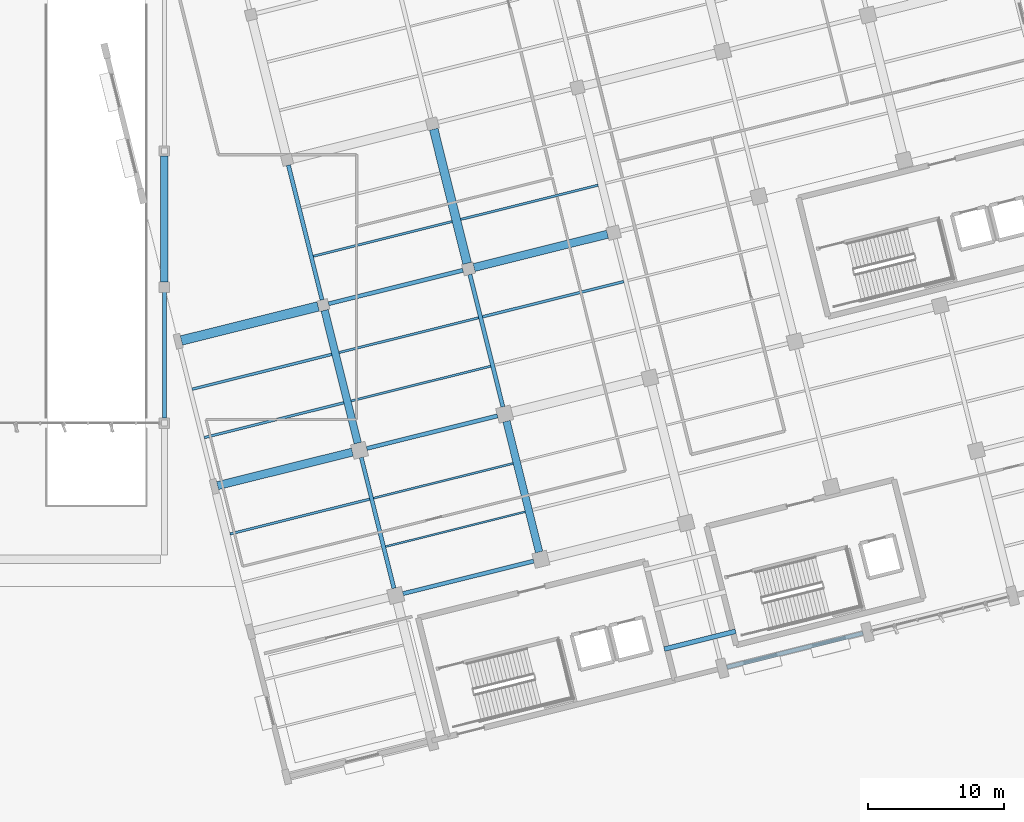
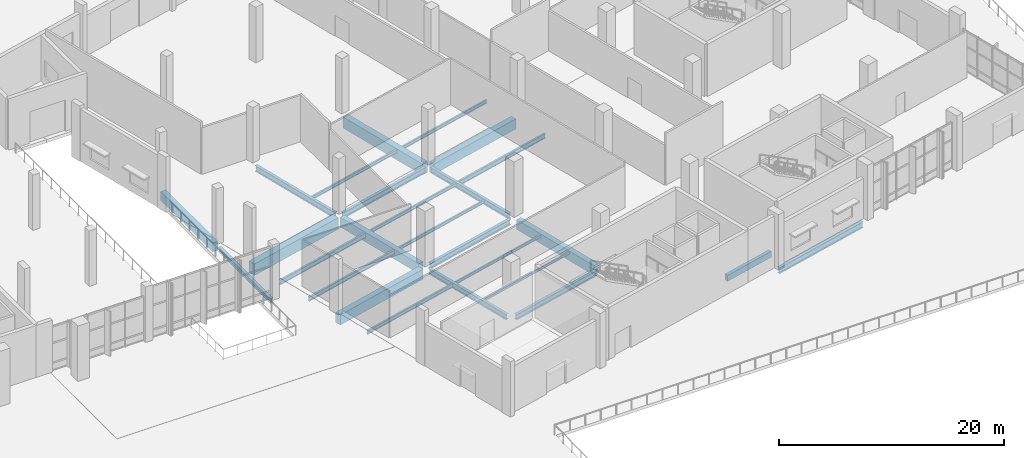
# One storey, part 84 of 163: 26 beams.
"""IFC4 building model written with IfcOpenShell, lengths in metres."""

import ifcopenshell
import ifcopenshell.guid

model = None  # the IFC model being written
_history = None  # IfcOwnerHistory: only IFC2X3 demands one
_inside = {}  # id of a spatial element -> (the spatial element, [elements in it])
_under = {}  # id of a project, library or spatial element -> (it, [spatial elements below it])
_declared = {}  # id of a project -> (the project, [libraries it declares])
_typed = {}  # id of a type object -> (the type object, [elements of that type])
_made_of = {}  # id of a material, layer set ... -> (it, [elements and type objects made of it])


def new_model(schema):
    """Start an empty IFC model of exactly this schema.

    Asked for "IFC4X3", IfcOpenShell would pick the latest addendum, in which some entities
    have other attributes; the version numbers below select the first issue.
    IFC2X3 requires an IfcOwnerHistory on every rooted entity: one is made here for all.
    """
    global model, _history
    if schema == "IFC4X3":
        model = ifcopenshell.file(schema_version=(4, 3, 0, 0))
    else:
        model = ifcopenshell.file(schema=schema)
    _inside.clear()
    _under.clear()
    _declared.clear()
    _typed.clear()
    _made_of.clear()
    _history = None
    if model.schema == "IFC2X3":
        org = make("IfcOrganization", Name="unknown")
        user = make(
            "IfcPersonAndOrganization",
            ThePerson=make("IfcPerson", FamilyName="unknown"),
            TheOrganization=org,
        )
        app = make(
            "IfcApplication",
            ApplicationDeveloper=org,
            Version="unknown",
            ApplicationFullName="unknown",
            ApplicationIdentifier="unknown",
        )
        _history = make(
            "IfcOwnerHistory",
            OwningUser=user,
            OwningApplication=app,
            ChangeAction="ADDED",
            CreationDate=0,
        )
    return model


def make(cls, **values):
    """One entity of the class cls with the attributes given. An attribute that is None is left unset."""
    return model.create_entity(
        cls, **{name: value for name, value in values.items() if value is not None}
    )


def rooted(cls, **values):
    """An entity with a GlobalId (a new one), such as an element, a storey or a relation."""
    return make(cls, GlobalId=ifcopenshell.guid.new(), OwnerHistory=_history, **values)


def si_unit(unit_type, name, prefix=None):
    """IfcSIUnit, for example si_unit("LENGTHUNIT", "METRE", prefix="MILLI")."""
    return make("IfcSIUnit", UnitType=unit_type, Prefix=prefix, Name=name)


def assignment(units):
    """IfcUnitAssignment: the units of a project."""
    return None if units is None else make("IfcUnitAssignment", Units=units)


def point(xyz):
    """IfcCartesianPoint."""
    return None if xyz is None else make("IfcCartesianPoint", Coordinates=xyz)


def direction(xyz):
    """IfcDirection."""
    return None if xyz is None else make("IfcDirection", DirectionRatios=xyz)


def frame(location, z_axis=None, x_axis=None):
    """IfcAxis2Placement3D, a coordinate frame: its origin and axes. An axis left out is left unset."""
    return make(
        "IfcAxis2Placement3D",
        Location=point(location),
        Axis=direction(z_axis),
        RefDirection=direction(x_axis),
    )


def frame_2d(location, x_axis=None):
    """IfcAxis2Placement2D, a coordinate frame in the plane: its origin and x axis."""
    return make(
        "IfcAxis2Placement2D", Location=point(location), RefDirection=direction(x_axis)
    )


def origin():
    """The frame at (0, 0, 0) with its axes left unset."""
    return frame((0.0, 0.0, 0.0))


def origin_2d():
    """The frame at (0, 0) in the plane with its x axis left unset."""
    return frame_2d((0.0, 0.0))


def place(relative_to, where):
    """IfcLocalPlacement: puts the frame where relative to a parent placement (None: the world)."""
    return make(
        "IfcLocalPlacement", PlacementRelTo=relative_to, RelativePlacement=where
    )


def context(
    kind, dimensions, precision=None, world=None, true_north=None, identifier=None
):
    """IfcGeometricRepresentationContext, for example the 3D "Model" context."""
    return make(
        "IfcGeometricRepresentationContext",
        ContextIdentifier=identifier,
        ContextType=kind,
        CoordinateSpaceDimension=dimensions,
        Precision=precision,
        WorldCoordinateSystem=world,
        TrueNorth=true_north,
    )


def subcontext(parent, identifier, kind, view, scale=None):
    """IfcGeometricRepresentationSubContext, for example "Body" below "Model"."""
    return make(
        "IfcGeometricRepresentationSubContext",
        ContextIdentifier=identifier,
        ContextType=kind,
        ParentContext=parent,
        TargetScale=scale,
        TargetView=view,
    )


def project(units=None, contexts=None):
    """IfcProject with its units and contexts."""
    return rooted(
        "IfcProject",
        Name="project",
        RepresentationContexts=contexts,
        UnitsInContext=assignment(units),
    )


def spatial(cls, under=None, at=None, **own):
    """A site, building, storey or space (cls), placed at a placement, below another one or the project."""
    s = rooted(cls, ObjectPlacement=at, **own)
    if under is not None:
        _under.setdefault(under.id(), (under, []))[1].append(s)
    return s


def profile(cls, at=None, kind="AREA", **sizes):
    """A parametric profile (cls). Its sizes go by their IFC names, for example OverallWidth=200.0."""
    return make(cls, ProfileType=kind, Position=at, **sizes)


def rectangle(**sizes):
    """IfcRectangleProfileDef."""
    return profile("IfcRectangleProfileDef", **sizes)


def i_section(**sizes):
    """IfcIShapeProfileDef."""
    return profile("IfcIShapeProfileDef", **sizes)


def extrude(swept, where, along, depth):
    """IfcExtrudedAreaSolid: the profile swept, set in the frame where, extruded along a direction by depth."""
    return make(
        "IfcExtrudedAreaSolid",
        SweptArea=swept,
        Position=where,
        ExtrudedDirection=direction(along),
        Depth=depth,
    )


def shape(context_of_items, identifier, shape_type, items):
    """IfcShapeRepresentation: the items that make up one representation, for example the "Body"."""
    return make(
        "IfcShapeRepresentation",
        ContextOfItems=context_of_items,
        RepresentationIdentifier=identifier,
        RepresentationType=shape_type,
        Items=items,
    )


def material(Name=None, Category=None):
    """IfcMaterial."""
    return make("IfcMaterial", Name=Name, Category=Category)


def material_profile(
    of_material, cross_section, Name=None, Category=None, Priority=None
):
    """IfcMaterialProfile: a cross section and its material."""
    return make(
        "IfcMaterialProfile",
        Name=Name,
        Material=of_material,
        Profile=cross_section,
        Priority=Priority,
        Category=Category,
    )


def profile_set(profiles, Name=None, composite=None):
    """IfcMaterialProfileSet."""
    return make(
        "IfcMaterialProfileSet",
        Name=Name,
        MaterialProfiles=profiles,
        CompositeProfile=composite,
    )


def made_of(thing, what):
    """Note that an element or type object is made of a material, layer set ...; save() writes the relation."""
    if what is not None:
        _made_of.setdefault(what.id(), (what, []))[1].append(thing)
    return thing


def type_object(cls, material=None, **own):
    """A type object (cls), such as IfcWallType, which elements share."""
    return made_of(rooted(cls, **own), material)


def element(
    cls,
    number,
    at=None,
    inside=None,
    cuts=None,
    type_object=None,
    material=None,
    context=None,
    identifier="Body",
    shape_type=None,
    held_by="IfcProductDefinitionShape",
    body=None,
    shapes=None,
    **own,
):
    """One element of the class cls, such as IfcWall. Its Tag is "e" and its number.

    at: its placement. inside: the storey or other place that contains it. cuts: it is an
    opening in that element (IfcRelVoidsElement). A single representation is given by context,
    identifier, shape_type and body (its items); several are given by shapes. held_by: the class
    of the entity that holds the representations. save() writes the other relations.
    """
    e = rooted(cls, Tag="e%d" % number, ObjectPlacement=at, **own)
    if body is not None:
        shapes = [shape(context, identifier, shape_type, body)]
    if shapes is not None:
        e.Representation = make(held_by, Representations=shapes)
    if inside is not None:
        _inside.setdefault(inside.id(), (inside, []))[1].append(e)
    if cuts is not None:
        rooted(
            "IfcRelVoidsElement", RelatingBuildingElement=cuts, RelatedOpeningElement=e
        )
    if type_object is not None:
        _typed.setdefault(type_object.id(), (type_object, []))[1].append(e)
    return made_of(e, material)


def aggregate(whole, parts):
    """IfcRelAggregates: a whole, such as a stair, and the parts it consists of."""
    return rooted("IfcRelAggregates", RelatingObject=whole, RelatedObjects=parts)


def save(model, path):
    """Write the relations noted so far, then the file.

    IfcRelAggregates (storeys below a building ...), IfcRelContainedInSpatialStructure (elements
    in a storey), IfcRelDefinesByType, IfcRelAssociatesMaterial and IfcRelDeclares: one each for
    every whole, place, type object, material and project.
    """
    for whole, parts in _under.values():
        aggregate(whole, parts)
    for where, things in _inside.values():
        rooted(
            "IfcRelContainedInSpatialStructure",
            RelatedElements=things,
            RelatingStructure=where,
        )
    for kind, things in _typed.values():
        rooted("IfcRelDefinesByType", RelatedObjects=things, RelatingType=kind)
    for what, things in _made_of.values():
        rooted("IfcRelAssociatesMaterial", RelatedObjects=things, RelatingMaterial=what)
    for by, libraries in _declared.values():
        rooted("IfcRelDeclares", RelatingContext=by, RelatedDefinitions=libraries)
    model.write(path)


model = new_model("IFC4")

# Units and contexts
model_context = context("Model", 3, precision=1e-05, world=origin(), true_north=direction((0.0, 1.0)))
body_context = subcontext(model_context, "Body", "Model", "MODEL_VIEW")
ifc_project = project(units=[si_unit("LENGTHUNIT", "METRE"), si_unit("AREAUNIT", "SQUARE_METRE"), si_unit("VOLUMEUNIT", "CUBIC_METRE"), si_unit("PLANEANGLEUNIT", "RADIAN"), si_unit("MASSUNIT", "GRAM", prefix="KILO")], contexts=[model_context])

# Site, building, storey
site_placement = place(None, origin())
site = spatial("IfcSite", under=ifc_project, at=site_placement, CompositionType="ELEMENT")
building_placement = place(site_placement, origin())
building = spatial("IfcBuilding", under=site, at=building_placement, Name="Khorjan Park Terminus", CompositionType="ELEMENT")
storey_placement = place(building_placement, origin())
storey = spatial("IfcBuildingStorey", under=building, at=storey_placement, Name="L00", CompositionType="ELEMENT", Elevation=0.0)

# Beams
ifc_material_1 = material(Name="Steel S355", Category="steel")
ifc_material_profile_1 = material_profile(ifc_material_1, i_section(OverallWidth=0.3, OverallDepth=0.59, WebThickness=0.013, FlangeThickness=0.025, FilletRadius=0.027, at=origin_2d()), Name="HEA 600")
ifc_profile_set_1 = profile_set([ifc_material_profile_1], Name="Steel S355")
beam_type_1 = type_object("IfcBeamType", Name="BM-HEA600", PredefinedType="BEAM", material=ifc_profile_set_1)
beam_1_placement = place(storey_placement, frame((174.5409, 15.4662, -0.655), z_axis=(0.970294856426, 0.241925384349, 0.0), x_axis=(-0.241925384349, 0.970294856426, 0.0)))
element("IfcBeam", 1, at=beam_1_placement, inside=storey, type_object=beam_type_1, Name="Primary skew-grid floor girder SB-A60 (L00)", PredefinedType="BEAM", context=body_context, shape_type="SweptSolid", body=[
    extrude(i_section(OverallWidth=0.3, OverallDepth=0.59, WebThickness=0.013, FlangeThickness=0.025, FilletRadius=0.027, at=origin_2d()), origin(), (0.0, 0.0, 1.0), 9.9101),
])
beam_2_placement = place(storey_placement, frame((173.8803, 15.8632, -0.655), z_axis=(-0.24192775306, 0.970294265828, 0.0), x_axis=(-0.970294265828, -0.24192775306, 0.0)))
element("IfcBeam", 2, at=beam_2_placement, inside=storey, type_object=beam_type_1, Name="Primary skew-grid floor girder SB-A60 (L00)", PredefinedType="BEAM", context=body_context, shape_type="SweptSolid", body=[
    extrude(i_section(OverallWidth=0.3, OverallDepth=0.59, WebThickness=0.013, FlangeThickness=0.025, FilletRadius=0.027, at=origin_2d()), origin(), (0.0, 0.0, 1.0), 9.91),
])
beam_3_placement = place(storey_placement, frame((181.8924, 29.1976, -0.655), z_axis=(-0.24192360021, 0.970295301267, 0.0), x_axis=(-0.970295301267, -0.24192360021, 0.0)))
element("IfcBeam", 3, at=beam_3_placement, inside=storey, type_object=beam_type_1, Name="Primary skew-grid floor girder SB-A60 (L00)", PredefinedType="BEAM", context=body_context, shape_type="SweptSolid", body=[
    extrude(i_section(OverallWidth=0.3, OverallDepth=0.59, WebThickness=0.013, FlangeThickness=0.025, FilletRadius=0.027, at=origin_2d()), origin(), (0.0, 0.0, 1.0), 10.035),
])
ifc_material_profile_2 = material_profile(ifc_material_1, i_section(OverallWidth=0.3, OverallDepth=0.64, WebThickness=0.0135, FlangeThickness=0.026, FilletRadius=0.027, at=origin_2d()), Name="HEA 650")
ifc_profile_set_2 = profile_set([ifc_material_profile_2], Name="Steel S355")
beam_type_2 = type_object("IfcBeamType", Name="BM-HEA650", PredefinedType="BEAM", material=ifc_profile_set_2)
beam_4_placement = place(storey_placement, frame((198.3545, 10.0669, -0.68), z_axis=(0.970296351811, 0.241919386702, 0.0), x_axis=(-0.241919386702, 0.970296351811, 0.0)))
element("IfcBeam", 4, at=beam_4_placement, inside=storey, type_object=beam_type_2, Name="Primary skew-grid floor girder SB-A65 (L00)", PredefinedType="BEAM", context=body_context, shape_type="SweptSolid", body=[
    extrude(i_section(OverallWidth=0.3, OverallDepth=0.64, WebThickness=0.0135, FlangeThickness=0.026, FilletRadius=0.027, at=origin_2d()), origin(), (0.0, 0.0, 1.0), 10.31),
])
beam_5_placement = place(storey_placement, frame((168.5943, 37.0642, -0.67), z_axis=(-0.241929482178, 0.970293834698, 0.0), x_axis=(-0.970293834698, -0.241929482178, 0.0)))
element("IfcBeam", 5, at=beam_5_placement, inside=storey, type_object=beam_type_2, Name="Primary skew-grid floor girder SB-A65 (L00)", PredefinedType="BEAM", context=body_context, shape_type="SweptSolid", body=[
    extrude(i_section(OverallWidth=0.3, OverallDepth=0.64, WebThickness=0.0135, FlangeThickness=0.026, FilletRadius=0.027, at=origin_2d()), origin(), (0.0, 0.0, 1.0), 10.21),
])
ifc_material_profile_3 = material_profile(ifc_material_1, i_section(OverallWidth=0.3, OverallDepth=0.5, WebThickness=0.0145, FlangeThickness=0.028, FilletRadius=0.027, at=origin_2d()), Name="HEB 500")
ifc_profile_set_3 = profile_set([ifc_material_profile_3], Name="Steel S355")
beam_type_3 = type_object("IfcBeamType", Name="BM-HEB500", PredefinedType="BEAM", material=ifc_profile_set_3)
beam_6_placement = place(storey_placement, frame((157.0, 28.37, -0.6), z_axis=(0.0, 1.0, 0.0), x_axis=(-1.0, 0.0, 0.0)))
element("IfcBeam", 6, at=beam_6_placement, inside=storey, type_object=beam_type_3, Name="Primary floor girder SB-B50 (L00)", PredefinedType="BEAM", context=body_context, shape_type="SweptSolid", body=[
    extrude(i_section(OverallWidth=0.3, OverallDepth=0.5, WebThickness=0.0145, FlangeThickness=0.028, FilletRadius=0.027, at=origin_2d()), origin(), (0.0, 0.0, 1.0), 9.26),
])
ifc_material_profile_4 = material_profile(ifc_material_1, i_section(OverallWidth=0.3, OverallDepth=0.6, WebThickness=0.0155, FlangeThickness=0.03, FilletRadius=0.027, at=origin_2d()), Name="HEB 600")
ifc_profile_set_4 = profile_set([ifc_material_profile_4], Name="Steel S355")
beam_type_4 = type_object("IfcBeamType", Name="BM-HEB600", PredefinedType="BEAM", material=ifc_profile_set_4)
beam_7_placement = place(storey_placement, frame((171.8798, 26.1395, -0.66), z_axis=(0.970296634521, 0.241918252798, 0.0), x_axis=(-0.241918252798, 0.970296634521, 0.0)))
element("IfcBeam", 7, at=beam_7_placement, inside=storey, type_object=beam_type_4, Name="Primary skew-grid floor girder SB-B60 (L00)", PredefinedType="BEAM", context=body_context, shape_type="SweptSolid", body=[
    extrude(i_section(OverallWidth=0.3, OverallDepth=0.6, WebThickness=0.0155, FlangeThickness=0.03, FilletRadius=0.027, at=origin_2d()), origin(), (0.0, 0.0, 1.0), 9.91),
])
beam_8_placement = place(storey_placement, frame((169.0731, 36.7765, -0.66), z_axis=(0.970297661932, 0.241914131974, 0.0), x_axis=(-0.241914131974, 0.970297661932, 0.0)))
element("IfcBeam", 8, at=beam_8_placement, inside=storey, type_object=beam_type_4, Name="Primary skew-grid floor girder SB-B60 (L00)", PredefinedType="BEAM", context=body_context, shape_type="SweptSolid", body=[
    extrude(i_section(OverallWidth=0.3, OverallDepth=0.6, WebThickness=0.0155, FlangeThickness=0.03, FilletRadius=0.027, at=origin_2d()), origin(), (0.0, 0.0, 1.0), 10.185),
])
ifc_material_2 = material(Name="Concrete C40/50", Category="concrete")
ifc_material_profile_5 = material_profile(ifc_material_2, rectangle(XDim=0.55, YDim=1.05, at=origin_2d()), Name="RC 550x1050")
ifc_profile_set_5 = profile_set([ifc_material_profile_5], Name="Concrete C40/50")
beam_type_5 = type_object("IfcBeamType", Name="BM-RC550x1050", PredefinedType="BEAM", material=ifc_profile_set_5)
beam_9_placement = place(storey_placement, frame((171.2191, 26.5365, -0.885), z_axis=(-0.241920438591, 0.970296089548, 0.0), x_axis=(-0.970296089548, -0.241920438591, 0.0)))
element("IfcBeam", 9, at=beam_9_placement, inside=storey, type_object=beam_type_5, Name="Primary skew-grid floor girder GB-105 (L00)", PredefinedType="BEAM", context=body_context, shape_type="SweptSolid", body=[
    extrude(rectangle(XDim=0.55, YDim=1.05, at=origin_2d()), origin(), (0.0, 0.0, 1.0), 10.0599),
])
beam_10_placement = place(storey_placement, frame((184.5535, 18.5243, -0.885), z_axis=(-0.241915884168, 0.970297225074, 0.0), x_axis=(-0.970297225074, -0.241915884168, 0.0)))
element("IfcBeam", 10, at=beam_10_placement, inside=storey, type_object=beam_type_5, Name="Primary skew-grid floor girder GB-105 (L00)", PredefinedType="BEAM", context=body_context, shape_type="SweptSolid", body=[
    extrude(rectangle(XDim=0.55, YDim=1.05, at=origin_2d()), origin(), (0.0, 0.0, 1.0), 9.9101),
])
ifc_material_profile_6 = material_profile(ifc_material_2, rectangle(XDim=0.55, YDim=0.95, at=origin_2d()), Name="RC 550x950")
ifc_profile_set_6 = profile_set([ifc_material_profile_6], Name="Concrete C40/50")
beam_type_6 = type_object("IfcBeamType", Name="BM-RC550x950", PredefinedType="BEAM", material=ifc_profile_set_6)
beam_11_placement = place(storey_placement, frame((157.0, 38.37, -0.825), z_axis=(0.0, 1.0, 0.0), x_axis=(-1.0, 0.0, 0.0)))
element("IfcBeam", 11, at=beam_11_placement, inside=storey, type_object=beam_type_6, Name="Primary floor girder GB-95 (L00)", PredefinedType="BEAM", context=body_context, shape_type="SweptSolid", body=[
    extrude(rectangle(XDim=0.55, YDim=0.95, at=origin_2d()), origin(), (0.0, 0.0, 1.0), 9.26),
])
ifc_material_profile_7 = material_profile(ifc_material_2, rectangle(XDim=0.6, YDim=1.1, at=origin_2d()), Name="RC 600x1100")
ifc_profile_set_7 = profile_set([ifc_material_profile_7], Name="Concrete C40/50")
beam_type_7 = type_object("IfcBeamType", Name="BM-RC600x1100", PredefinedType="BEAM", material=ifc_profile_set_7)
beam_12_placement = place(storey_placement, frame((160.9154, 23.4058, -0.91), z_axis=(0.970296707014, 0.241917962039, 0.0), x_axis=(-0.241917962039, 0.970296707014, 0.0)))
element("IfcBeam", 12, at=beam_12_placement, inside=storey, type_object=beam_type_7, Name="Primary skew-grid floor girder GB-11 (L00)", PredefinedType="BEAM", context=body_context, shape_type="SweptSolid", body=[
    extrude(rectangle(XDim=0.6, YDim=1.1, at=origin_2d()), origin(), (0.0, 0.0, 1.0), 10.2101),
])
beam_13_placement = place(storey_placement, frame((179.7706, 39.4436, -0.91), z_axis=(0.970294168541, 0.241928143249, 0.0), x_axis=(-0.241928143249, 0.970294168541, 0.0)))
element("IfcBeam", 13, at=beam_13_placement, inside=storey, type_object=beam_type_7, Name="Primary skew-grid floor girder GB-11 (L00)", PredefinedType="BEAM", context=body_context, shape_type="SweptSolid", body=[
    extrude(rectangle(XDim=0.6, YDim=1.1, at=origin_2d()), origin(), (0.0, 0.0, 1.0), 10.11),
])
ifc_material_profile_8 = material_profile(ifc_material_2, rectangle(XDim=0.65, YDim=1.2, at=origin_2d()), Name="RC 650x1200")
ifc_profile_set_8 = profile_set([ifc_material_profile_8], Name="Concrete C40/50")
beam_type_8 = type_object("IfcBeamType", Name="BM-RC650x1200", PredefinedType="BEAM", material=ifc_profile_set_8)
beam_14_placement = place(storey_placement, frame((179.2615, 39.7496, -0.95), z_axis=(-0.241928816007, 0.970294000798, 0.0), x_axis=(-0.970294000798, -0.241928816007, 0.0)))
element("IfcBeam", 14, at=beam_14_placement, inside=storey, type_object=beam_type_8, Name="Primary skew-grid floor girder GB-12 (L00)", PredefinedType="BEAM", context=body_context, shape_type="SweptSolid", body=[
    extrude(rectangle(XDim=0.65, YDim=1.2, at=origin_2d()), origin(), (0.0, 0.0, 1.0), 10.16),
])
ifc_material_profile_9 = material_profile(ifc_material_2, rectangle(XDim=0.7, YDim=1.25, at=origin_2d()), Name="RC 700x1250")
ifc_profile_set_9 = profile_set([ifc_material_profile_9], Name="Concrete C40/50")
beam_type_9 = type_object("IfcBeamType", Name="BM-RC700x1250", PredefinedType="BEAM", material=ifc_profile_set_9)
beam_15_placement = place(storey_placement, frame((158.2543, 34.079, -0.985), z_axis=(0.970296176779, 0.241920088722, 0.0), x_axis=(-0.241920088722, 0.970296176779, 0.0)))
element("IfcBeam", 15, at=beam_15_placement, inside=storey, type_object=beam_type_9, Name="Primary skew-grid floor girder GB-125 (L00)", PredefinedType="BEAM", context=body_context, shape_type="SweptSolid", body=[
    extrude(rectangle(XDim=0.7, YDim=1.25, at=origin_2d()), origin(), (0.0, 0.0, 1.0), 10.36),
])
ifc_material_profile_10 = material_profile(ifc_material_1, i_section(OverallWidth=0.135, OverallDepth=0.27, WebThickness=0.0066, FlangeThickness=0.0102, FilletRadius=0.015, at=origin_2d()), Name="IPE 270")
ifc_profile_set_10 = profile_set([ifc_material_profile_10], Name="Steel S355")
beam_type_10 = type_object("IfcBeamType", Name="JS-IPE270", PredefinedType="JOIST", material=ifc_profile_set_10)
beam_16_placement = place(storey_placement, frame((173.2706, 18.9285, -0.495), z_axis=(0.970296385626, 0.241919251074, 0.0), x_axis=(-0.241919251074, 0.970296385626, 0.0)))
element("IfcBeam", 16, at=beam_16_placement, inside=storey, type_object=beam_type_10, Name="Secondary composite floor joist SJ-27 (L00)", PredefinedType="JOIST", context=body_context, shape_type="SweptSolid", body=[
    extrude(i_section(OverallWidth=0.135, OverallDepth=0.27, WebThickness=0.0066, FlangeThickness=0.0102, FilletRadius=0.015, at=origin_2d()), origin(), (0.0, 0.0, 1.0), 10.575),
])
ifc_material_profile_11 = material_profile(ifc_material_1, i_section(OverallWidth=0.15, OverallDepth=0.3, WebThickness=0.0071, FlangeThickness=0.0107, FilletRadius=0.015, at=origin_2d()), Name="IPE 300")
ifc_profile_set_11 = profile_set([ifc_material_profile_11], Name="Steel S355")
beam_type_11 = type_object("IfcBeamType", Name="JS-IPE300", PredefinedType="JOIST", material=ifc_profile_set_11)
beam_17_placement = place(storey_placement, frame((172.3836, 22.4862, -0.51), z_axis=(0.970295832192, 0.241921470792, 0.0), x_axis=(-0.241921470792, 0.970295832192, 0.0)))
element("IfcBeam", 17, at=beam_17_placement, inside=storey, type_object=beam_type_11, Name="Secondary composite floor joist SJ-30 (L00)", PredefinedType="JOIST", context=body_context, shape_type="SweptSolid", body=[
    extrude(i_section(OverallWidth=0.15, OverallDepth=0.3, WebThickness=0.0071, FlangeThickness=0.0107, FilletRadius=0.015, at=origin_2d()), origin(), (0.0, 0.0, 1.0), 10.5749),
])
ifc_material_profile_12 = material_profile(ifc_material_1, i_section(OverallWidth=0.16, OverallDepth=0.33, WebThickness=0.0075, FlangeThickness=0.0115, FilletRadius=0.018, at=origin_2d()), Name="IPE 330")
ifc_profile_set_12 = profile_set([ifc_material_profile_12], Name="Steel S355")
beam_type_12 = type_object("IfcBeamType", Name="JS-IPE330", PredefinedType="JOIST", material=ifc_profile_set_12)
beam_18_placement = place(storey_placement, frame((170.7307, 29.632, -0.525), z_axis=(0.970296385626, 0.241919251074, 0.0), x_axis=(-0.241919251074, 0.970296385626, 0.0)))
element("IfcBeam", 18, at=beam_18_placement, inside=storey, type_object=beam_type_12, Name="Secondary composite floor joist SJ-33 (L00)", PredefinedType="JOIST", context=body_context, shape_type="SweptSolid", body=[
    extrude(i_section(OverallWidth=0.16, OverallDepth=0.33, WebThickness=0.0075, FlangeThickness=0.0115, FilletRadius=0.018, at=origin_2d()), origin(), (0.0, 0.0, 1.0), 10.575),
])
ifc_material_profile_13 = material_profile(ifc_material_1, i_section(OverallWidth=0.17, OverallDepth=0.36, WebThickness=0.008, FlangeThickness=0.0127, FilletRadius=0.018, at=origin_2d()), Name="IPE 360")
ifc_profile_set_13 = profile_set([ifc_material_profile_13], Name="Steel S355")
beam_type_13 = type_object("IfcBeamType", Name="JS-IPE360", PredefinedType="JOIST", material=ifc_profile_set_13)
beam_19_placement = place(storey_placement, frame((169.8437, 33.1896, -0.54), z_axis=(0.970294165893, 0.241928153868, 0.0), x_axis=(-0.241928153868, 0.970294165893, 0.0)))
element("IfcBeam", 19, at=beam_19_placement, inside=storey, type_object=beam_type_13, Name="Secondary composite floor joist SJ-36 (L00)", PredefinedType="JOIST", context=body_context, shape_type="SweptSolid", body=[
    extrude(i_section(OverallWidth=0.17, OverallDepth=0.36, WebThickness=0.008, FlangeThickness=0.0127, FilletRadius=0.018, at=origin_2d()), origin(), (0.0, 0.0, 1.0), 10.575),
])
beam_20_placement = place(storey_placement, frame((167.9483, 40.275, -0.53), z_axis=(0.970296558074, 0.241918559415, 0.0), x_axis=(-0.241918559415, 0.970296558074, 0.0)))
element("IfcBeam", 20, at=beam_20_placement, inside=storey, type_object=beam_type_13, Name="Secondary composite floor joist SJ-36 (L00)", PredefinedType="JOIST", context=body_context, shape_type="SweptSolid", body=[
    extrude(i_section(OverallWidth=0.17, OverallDepth=0.36, WebThickness=0.008, FlangeThickness=0.0127, FilletRadius=0.018, at=origin_2d()), origin(), (0.0, 0.0, 1.0), 10.525),
])
beam_21_placement = place(storey_placement, frame((178.7914, 42.9784, -0.53), z_axis=(0.970295586552, 0.241922456002, 0.0), x_axis=(-0.241922456002, 0.970295586552, 0.0)))
element("IfcBeam", 21, at=beam_21_placement, inside=storey, type_object=beam_type_13, Name="Secondary composite floor joist SJ-36 (L00)", PredefinedType="JOIST", context=body_context, shape_type="SweptSolid", body=[
    extrude(i_section(OverallWidth=0.17, OverallDepth=0.36, WebThickness=0.008, FlangeThickness=0.0127, FilletRadius=0.018, at=origin_2d()), origin(), (0.0, 0.0, 1.0), 10.4),
])
ifc_material_profile_14 = material_profile(ifc_material_1, i_section(OverallWidth=0.18, OverallDepth=0.4, WebThickness=0.0086, FlangeThickness=0.0135, FilletRadius=0.021, at=origin_2d()), Name="IPE 400")
ifc_profile_set_14 = profile_set([ifc_material_profile_14], Name="Steel S355")
beam_type_14 = type_object("IfcBeamType", Name="JS-IPE400", PredefinedType="JOIST", material=ifc_profile_set_14)
beam_22_placement = place(storey_placement, frame((161.8316, 19.8553, -0.56), z_axis=(0.970296385626, 0.241919251074, 0.0), x_axis=(-0.241919251074, 0.970296385626, 0.0)))
element("IfcBeam", 22, at=beam_22_placement, inside=storey, type_object=beam_type_14, Name="Secondary composite floor joist SJ-40 (L00)", PredefinedType="JOIST", context=body_context, shape_type="SweptSolid", body=[
    extrude(i_section(OverallWidth=0.18, OverallDepth=0.4, WebThickness=0.0086, FlangeThickness=0.0135, FilletRadius=0.021, at=origin_2d()), origin(), (0.0, 0.0, 1.0), 10.575),
])
ifc_material_profile_15 = material_profile(ifc_material_1, i_section(OverallWidth=0.19, OverallDepth=0.45, WebThickness=0.0094, FlangeThickness=0.0146, FilletRadius=0.021, at=origin_2d()), Name="IPE 450")
ifc_profile_set_15 = profile_set([ifc_material_profile_15], Name="Steel S355")
beam_type_15 = type_object("IfcBeamType", Name="JS-IPE450", PredefinedType="JOIST", material=ifc_profile_set_15)
beam_23_placement = place(storey_placement, frame((159.9362, 26.9406, -0.585), z_axis=(0.970296385626, 0.241919251074, 0.0), x_axis=(-0.241919251074, 0.970296385626, 0.0)))
element("IfcBeam", 23, at=beam_23_placement, inside=storey, type_object=beam_type_15, Name="Secondary composite floor joist SJ-45 (L00)", PredefinedType="JOIST", context=body_context, shape_type="SweptSolid", body=[
    extrude(i_section(OverallWidth=0.19, OverallDepth=0.45, WebThickness=0.0094, FlangeThickness=0.0146, FilletRadius=0.021, at=origin_2d()), origin(), (0.0, 0.0, 1.0), 10.575),
])
ifc_material_profile_16 = material_profile(ifc_material_1, i_section(OverallWidth=0.2, OverallDepth=0.5, WebThickness=0.0102, FlangeThickness=0.016, FilletRadius=0.021, at=origin_2d()), Name="IPE 500")
ifc_profile_set_16 = profile_set([ifc_material_profile_16], Name="Steel S355")
beam_type_16 = type_object("IfcBeamType", Name="JS-IPE500", PredefinedType="JOIST", material=ifc_profile_set_16)
beam_24_placement = place(storey_placement, frame((159.0492, 30.4983, -0.61), z_axis=(0.970296385626, 0.241919251074, 0.0), x_axis=(-0.241919251074, 0.970296385626, 0.0)))
element("IfcBeam", 24, at=beam_24_placement, inside=storey, type_object=beam_type_16, Name="Secondary composite floor joist SJ-50 (L00)", PredefinedType="JOIST", context=body_context, shape_type="SweptSolid", body=[
    extrude(i_section(OverallWidth=0.2, OverallDepth=0.5, WebThickness=0.0102, FlangeThickness=0.016, FilletRadius=0.021, at=origin_2d()), origin(), (0.0, 0.0, 1.0), 10.575),
])
beam_25_placement = place(storey_placement, frame((180.3957, 35.8205, -0.61), z_axis=(0.970294591155, 0.241926448278, 0.0), x_axis=(-0.241926448278, 0.970294591155, 0.0)))
element("IfcBeam", 25, at=beam_25_placement, inside=storey, type_object=beam_type_16, Name="Secondary composite floor joist SJ-50 (L00)", PredefinedType="JOIST", context=body_context, shape_type="SweptSolid", body=[
    extrude(i_section(OverallWidth=0.2, OverallDepth=0.5, WebThickness=0.0102, FlangeThickness=0.016, FilletRadius=0.021, at=origin_2d()), origin(), (0.0, 0.0, 1.0), 10.6999),
])
ifc_material_profile_17 = material_profile(ifc_material_2, rectangle(XDim=0.35, YDim=0.65, at=origin_2d()), Name="RC 350x650")
ifc_profile_set_17 = profile_set([ifc_material_profile_17], Name="Concrete C40/50")
beam_type_17 = type_object("IfcBeamType", Name="LN-RC350x650", PredefinedType="LINTEL", material=ifc_profile_set_17)
beam_26_placement = place(storey_placement, frame((193.752, 11.3928, -0.685), z_axis=(0.97029481357, 0.241925556235, 0.0), x_axis=(-0.241925556235, 0.97029481357, 0.0)))
element("IfcBeam", 26, at=beam_26_placement, inside=storey, type_object=beam_type_17, Name="Inter-core coupling lintel beam LN-65 (L00)", PredefinedType="LINTEL", context=body_context, shape_type="SweptSolid", body=[
    extrude(rectangle(XDim=0.35, YDim=0.65, at=origin_2d()), origin(), (0.0, 0.0, 1.0), 5.4),
])

save(model, "model.ifc")
